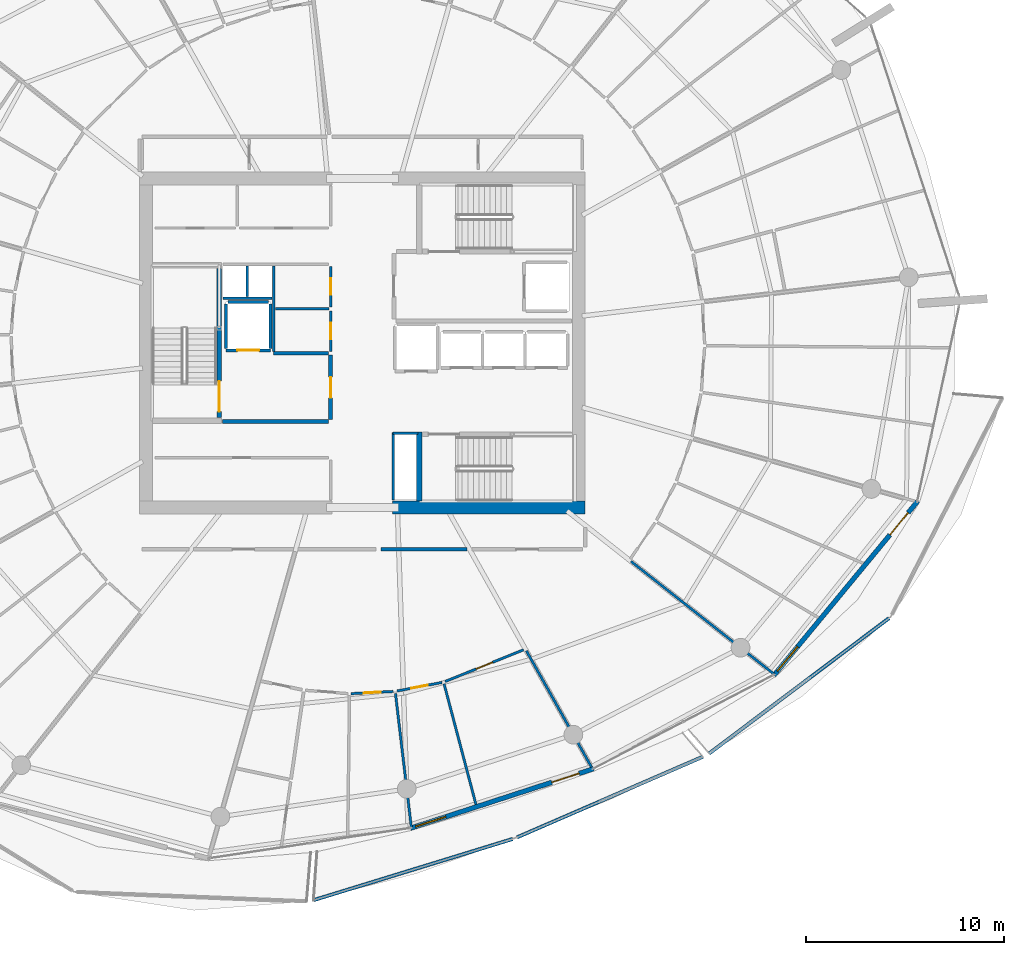
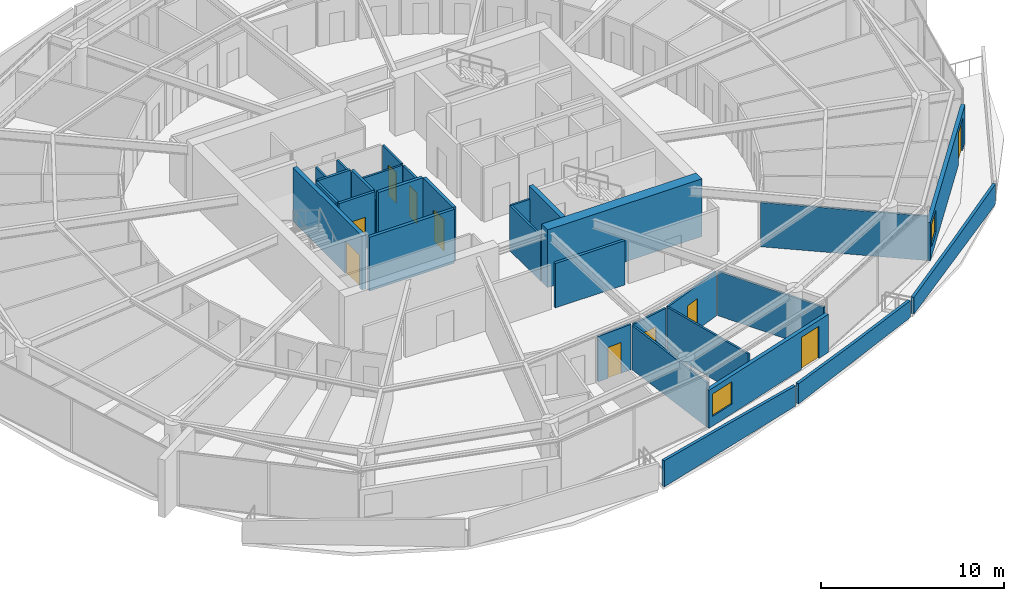
# One storey, part 20 of 31: 31 walls, 10 doors, 2 windows, 12 openings.
"""IFC4 building model written with IfcOpenShell, lengths in metres."""

from ifc_helpers import new_model, si_unit, direction, frame, frame_2d, origin, place, context, subcontext, project, spatial, polyline, rectangle, outline, extrude, material, layer, layer_set, type_object, element, fill, save


model = new_model("IFC4")

# Units and contexts
model_context = context("Model", 3, precision=1e-05, world=origin(), true_north=direction((0.0, 1.0)))
body_context = subcontext(model_context, "Body", "Model", "MODEL_VIEW")
ifc_project = project(units=[si_unit("LENGTHUNIT", "METRE"), si_unit("AREAUNIT", "SQUARE_METRE"), si_unit("VOLUMEUNIT", "CUBIC_METRE"), si_unit("PLANEANGLEUNIT", "RADIAN"), si_unit("MASSUNIT", "GRAM", prefix="KILO")], contexts=[model_context])

# Site, building, storey
site_placement = place(None, origin())
site = spatial("IfcSite", under=ifc_project, at=site_placement, CompositionType="ELEMENT")
building_placement = place(site_placement, origin())
building = spatial("IfcBuilding", under=site, at=building_placement, Name="Kazma Halo Residences", CompositionType="ELEMENT")
storey_placement = place(building_placement, frame((0.0, 0.0, 271.35009765625)))
storey = spatial("IfcBuildingStorey", under=building, at=storey_placement, Name="L68", CompositionType="ELEMENT", Elevation=271.35009765625)

# Walls
ifc_material_1 = material(Name="White Concrete C50/60 Balustrade", Category="concrete")
ifc_layer_1 = layer(ifc_material_1, 0.179931640625)
ifc_layer_set_1 = layer_set([ifc_layer_1], Name="White Concrete C50/60 Balustrade")
wall_type_1 = type_object("IfcWallType", Name="WL-BAL-WAVE-180", PredefinedType="PARAPET", material=ifc_layer_set_1)
wall_1_placement = place(storey_placement, frame((45.953369140625, 13.794189453125, 0.0), z_axis=(0.0, 0.0, 1.0), x_axis=(0.955884083791, 0.293744137565, 0.0)))
element("IfcWall", 1, at=wall_1_placement, inside=storey, type_object=wall_type_1, Name="L68 white wave balustrade wall SSE.1", PredefinedType="PARAPET", context=body_context, shape_type="SweptSolid", body=[
    extrude(outline(polyline([(0.0, 0.0), (10.543701171875, 0.0), (10.5439453125, 1.347900390625), (5.27197265625, 1.56201171875), (0.0, 1.746826171875), (0.0, 0.0)])), frame((0.0, 0.08984375, 0.0), z_axis=(0.0, -1.0, 0.0), x_axis=(1.0, 0.0, 0.0)), (0.0, 0.0, 1.0), 0.179931640625),
])
wall_2_placement = place(storey_placement, frame((56.2568359375, 16.974365234375, 0.0), z_axis=(0.0, 0.0, 1.0), x_axis=(0.917372888721, 0.398028872119, 0.0)))
element("IfcWall", 2, at=wall_2_placement, inside=storey, type_object=wall_type_1, Name="L68 white wave balustrade wall SSE.2", PredefinedType="PARAPET", context=body_context, shape_type="SweptSolid", body=[
    extrude(outline(polyline([(0.0, 0.0), (10.257568359375, 0.0), (10.25732421875, 1.119873046875), (5.128662109375, 1.181884765625), (0.0, 1.347900390625), (0.0, 0.0)])), frame((0.0, 0.08984375, 0.0), z_axis=(0.0, -1.0, 0.0), x_axis=(1.0, 0.0, 0.0)), (0.0, 0.0, 1.0), 0.179931640625),
])
wall_3_placement = place(storey_placement, frame((65.972412109375, 21.215576171875, 0.0), z_axis=(0.0, 0.0, 1.0), x_axis=(0.799146815098, 0.601135898046, 0.0)))
element("IfcWall", 3, at=wall_3_placement, inside=storey, type_object=wall_type_1, Name="L68 white wave balustrade wall SE.1", PredefinedType="PARAPET", context=body_context, shape_type="SweptSolid", body=[
    extrude(outline(polyline([(0.0, 0.0), (11.4111328125, 0.0), (11.4111328125, 1.347900390625), (5.70556640625, 1.181884765625), (0.0, 1.119873046875), (0.0, 0.0)])), frame((0.0, 0.08984375, 0.0), z_axis=(0.0, -1.0, 0.0), x_axis=(1.0, 0.0, 0.0)), (0.0, 0.0, 1.0), 0.179931640625),
])
ifc_material_2 = material(Name="Concrete C60/75", Category="concrete")
ifc_layer_2 = layer(ifc_material_2, 0.64990234375)
ifc_layer_set_2 = layer_set([ifc_layer_2], Name="Concrete C60/75")
wall_type_2 = type_object("IfcWallType", Name="WL-CORE-650", PredefinedType="SHEAR", material=ifc_layer_set_2)
wall_4_placement = place(storey_placement, frame((49.949951171875, 33.675048828125, 0.0), z_axis=(0.0, 0.0, 1.0), x_axis=(1.0, 0.0, 0.0)))
element("IfcWall", 4, at=wall_4_placement, inside=storey, type_object=wall_type_2, Name="L68 central core shear wall SE", PredefinedType="SHEAR", context=body_context, shape_type="SweptSolid", body=[
    extrude(rectangle(XDim=9.75, YDim=0.64990234375, at=frame_2d((4.875, 0.0))), origin(), (0.0, 0.0, 1.0), 3.849853515625),
])
ifc_layer_3 = layer(ifc_material_2, 0.280029296875)
ifc_layer_set_3 = layer_set([ifc_layer_3], Name="Concrete C60/75")
wall_type_3 = type_object("IfcWallType", Name="WL-CORE-ST-280", PredefinedType="SHEAR", material=ifc_layer_set_3)
wall_5_placement = place(storey_placement, frame((51.31005859375, 34.0, 0.0), z_axis=(0.0, 0.0, 1.0), x_axis=(0.0, 1.0, 0.0)))
element("IfcWall", 5, at=wall_5_placement, inside=storey, type_object=wall_type_3, Name="L68 stairwell bearing wall ST03-W", PredefinedType="SHEAR", context=body_context, shape_type="SweptSolid", body=[
    extrude(rectangle(XDim=3.5, YDim=0.280029296875, at=frame_2d((1.75, 0.0))), origin(), (0.0, 0.0, 1.0), 3.849853515625),
])
ifc_material_3 = material(Name="Acoustic Twin-Stud Gypsum")
ifc_layer_4 = layer(ifc_material_3, 0.179931640625)
ifc_layer_set_4 = layer_set([ifc_layer_4], Name="Acoustic Twin-Stud Gypsum")
wall_type_4 = type_object("IfcWallType", Name="WL-DEM-180", PredefinedType="PARTITIONING", material=ifc_layer_set_4)
wall_6_placement = place(storey_placement, frame((49.356689453125, 31.550048828125, 0.0), z_axis=(0.0, 0.0, 1.0), x_axis=(1.0, 0.0, 0.0)))
element("IfcWall", 6, at=wall_6_placement, inside=storey, type_object=wall_type_4, Name="L68 Apartment 2 inner wall 11", PredefinedType="PARTITIONING", context=body_context, shape_type="SweptSolid", body=[
    extrude(rectangle(XDim=4.375732421875, YDim=0.179931640625, at=frame_2d((2.18798828125, 0.0))), origin(), (0.0, 0.0, 1.0), 2.956787109375),
])

# Wall, openings, door, window
ifc_material_4 = material(Name="Insulated Pale-Metal Composite Wall")
ifc_layer_5 = layer(ifc_material_4, 0.239990234375)
ifc_layer_set_5 = layer_set([ifc_layer_5], Name="Insulated Pale-Metal Composite Wall")
wall_type_5 = type_object("IfcWallType", Name="WL-EXT-HOST-240", PredefinedType="SOLIDWALL", material=ifc_layer_set_5)
wall_7_placement = place(storey_placement, frame((50.85791015625, 17.436279296875, 0.0), z_axis=(0.0, 0.0, 1.0), x_axis=(0.951055974609, 0.309018661507, 0.0)))
wall_7 = element("IfcWall", 7, at=wall_7_placement, inside=storey, type_object=wall_type_5, Name="L68 exterior terrace-access wall B12", PredefinedType="SOLIDWALL", context=body_context, shape_type="SweptSolid", body=[
    extrude(rectangle(XDim=9.745361328125, YDim=0.239990234375, at=frame_2d((4.87255859375, 0.0))), origin(), (0.0, 0.0, 1.0), 2.539794921875),
])
opening_1_placement = place(wall_7_placement, frame((7.525390625, 0.0, 0.0)))
opening_1 = element("IfcOpeningElement", 8, at=opening_1_placement, cuts=wall_7, Name="Opening DTR-1600", PredefinedType="OPENING", context=body_context, shape_type="SweptSolid", body=[
    extrude(rectangle(XDim=1.449951171875, YDim=2.14990234375, at=frame_2d((0.72509765625, 1.074951171875))), frame((0.0, 0.1298828125, 0.0), z_axis=(0.0, -1.0, 0.0), x_axis=(1.0, 0.0, 0.0)), (0.0, 0.0, 1.0), 0.260009765625),
])
opening_2_placement = place(wall_7_placement, frame((0.280029296875, 0.0, 0.64990234375)))
opening_2 = element("IfcOpeningElement", 9, at=opening_2_placement, cuts=wall_7, Name="Opening W-1800", PredefinedType="OPENING", context=body_context, shape_type="SweptSolid", body=[
    extrude(rectangle(XDim=1.60009765625, YDim=1.5, at=frame_2d((0.800048828125, 0.75))), frame((0.0, 0.1298828125, 0.0), z_axis=(0.0, -1.0, 0.0), x_axis=(1.0, 0.0, 0.0)), (0.0, 0.0, 1.0), 0.260009765625),
])
ifc_material_5 = material(Name="Aluminium AW-6063 T6 Double-Glazed Terrace Door", Category="aluminium")
door_type_1 = type_object("IfcDoorType", Name="DR-EXT-TERR-1600", OperationType="NOTDEFINED", PredefinedType="DOOR", material=ifc_material_5)
door_1_placement = place(opening_1_placement, origin())
door_1 = element("IfcDoor", 10, at=door_1_placement, inside=storey, type_object=door_type_1, Name="L68 B12 balcony terrace door", OperationType="DOUBLE_DOOR_SLIDING", OverallHeight=2.14990234375, OverallWidth=1.449951171875, PredefinedType="DOOR", context=body_context, shape_type="SweptSolid", body=[
    extrude(rectangle(XDim=1.449951171875, YDim=2.14990234375, at=frame_2d((0.72509765625, 1.074951171875))), frame((0.0, 0.02490234375, 0.0), z_axis=(0.0, -1.0, 0.0), x_axis=(1.0, 0.0, 0.0)), (0.0, 0.0, 1.0), 0.050048828125),
])
fill(opening_1, door_1)
ifc_material_6 = material(Name="Clear Triple-Silver Low-E Glass in Aluminium AW-6063 T6 Frame", Category="aluminium")
window_type = type_object("IfcWindowType", Name="WIN-RES-1800", PartitioningType="DOUBLE_PANEL_VERTICAL", PredefinedType="WINDOW", material=ifc_material_6)
window_1_placement = place(opening_2_placement, origin())
window_1 = element("IfcWindow", 11, at=window_1_placement, inside=storey, type_object=window_type, Name="L68 B12 apartment window", OverallHeight=1.5, OverallWidth=1.60009765625, PartitioningType="SINGLE_PANEL", PredefinedType="WINDOW", context=body_context, shape_type="SweptSolid", body=[
    extrude(rectangle(XDim=1.60009765625, YDim=1.5, at=frame_2d((0.800048828125, 0.75))), frame((0.0, 0.030029296875, 0.0), z_axis=(0.0, -1.0, 0.0), x_axis=(1.0, 0.0, 0.0)), (0.0, 0.0, 1.0), 0.06005859375),
])
fill(opening_2, window_1)

wall_8_placement = place(storey_placement, frame((69.2578125, 25.177978515625, 0.0), z_axis=(0.0, 0.0, 1.0), x_axis=(0.636680093065, 0.771128043255, 0.0)))
wall_8 = element("IfcWall", 12, at=wall_8_placement, inside=storey, type_object=wall_type_5, Name="L68 exterior terrace-access wall B14", PredefinedType="SOLIDWALL", context=body_context, shape_type="SweptSolid", body=[
    extrude(rectangle(XDim=11.438232421875, YDim=0.239990234375, at=frame_2d((5.71923828125, 0.0))), origin(), (0.0, 0.0, 1.0), 2.539794921875),
])
opening_3_placement = place(wall_8_placement, frame((9.21826171875, 0.0, 0.0)))
opening_3 = element("IfcOpeningElement", 13, at=opening_3_placement, cuts=wall_8, Name="Opening DTR-1600", PredefinedType="OPENING", context=body_context, shape_type="SweptSolid", body=[
    extrude(rectangle(XDim=1.449951171875, YDim=2.14990234375, at=frame_2d((0.72509765625, 1.074951171875))), frame((0.0, 0.1298828125, 0.0), z_axis=(0.0, -1.0, 0.0), x_axis=(1.0, 0.0, 0.0)), (0.0, 0.0, 1.0), 0.260009765625),
])
opening_4_placement = place(wall_8_placement, frame((0.280029296875, 0.0, 0.64990234375)))
opening_4 = element("IfcOpeningElement", 14, at=opening_4_placement, cuts=wall_8, Name="Opening W-1800", PredefinedType="OPENING", context=body_context, shape_type="SweptSolid", body=[
    extrude(rectangle(XDim=1.60009765625, YDim=1.5, at=frame_2d((0.800048828125, 0.75))), frame((0.0, 0.1298828125, 0.0), z_axis=(0.0, -1.0, 0.0), x_axis=(1.0, 0.0, 0.0)), (0.0, 0.0, 1.0), 0.260009765625),
])
door_2_placement = place(opening_3_placement, origin())
door_2 = element("IfcDoor", 15, at=door_2_placement, inside=storey, type_object=door_type_1, Name="L68 B14 balcony terrace door", OperationType="DOUBLE_DOOR_SLIDING", OverallHeight=2.14990234375, OverallWidth=1.449951171875, PredefinedType="DOOR", context=body_context, shape_type="SweptSolid", body=[
    extrude(rectangle(XDim=1.449951171875, YDim=2.14990234375, at=frame_2d((0.72509765625, 1.074951171875))), frame((0.0, 0.02490234375, 0.0), z_axis=(0.0, -1.0, 0.0), x_axis=(1.0, 0.0, 0.0)), (0.0, 0.0, 1.0), 0.050048828125),
])
fill(opening_3, door_2)
window_2_placement = place(opening_4_placement, origin())
window_2 = element("IfcWindow", 16, at=window_2_placement, inside=storey, type_object=window_type, Name="L68 B14 apartment window", OverallHeight=1.5, OverallWidth=1.60009765625, PartitioningType="SINGLE_PANEL", PredefinedType="WINDOW", context=body_context, shape_type="SweptSolid", body=[
    extrude(rectangle(XDim=1.60009765625, YDim=1.5, at=frame_2d((0.800048828125, 0.75))), frame((0.0, 0.030029296875, 0.0), z_axis=(0.0, -1.0, 0.0), x_axis=(1.0, 0.0, 0.0)), (0.0, 0.0, 1.0), 0.06005859375),
])
fill(opening_4, window_2)

# Wall, opening, door
ifc_material_7 = material(Name="Fire-Rated Blockwork Masonry", Category="masonry")
ifc_layer_6 = layer(ifc_material_7, 0.199951171875)
ifc_layer_set_6 = layer_set([ifc_layer_6], Name="Fire-Rated Blockwork Masonry")
wall_type_6 = type_object("IfcWallType", Name="WL-FLB-200", PredefinedType="PARTITIONING", material=ifc_layer_set_6)
wall_9_placement = place(storey_placement, frame((43.780029296875, 41.6201171875, 0.0), z_axis=(0.0, 0.0, 1.0), x_axis=(-1.0, 0.0, 0.0)))
wall_9 = element("IfcWall", 17, at=wall_9_placement, inside=storey, type_object=wall_type_6, Name="L68 lift shaft FL-01 front wall", PredefinedType="PARTITIONING", context=body_context, shape_type="SweptSolid", body=[
    extrude(rectangle(XDim=2.260009765625, YDim=0.159912109375, at=frame_2d((1.1298828125, 0.0))), origin(), (0.0, 0.0, 1.0), 3.58984375),
])
opening_5_placement = place(wall_9_placement, frame((0.580078125, 0.0, 0.0)))
opening_5 = element("IfcOpeningElement", 18, at=opening_5_placement, cuts=wall_9, Name="Opening LD-FL-01", PredefinedType="OPENING", context=body_context, shape_type="SweptSolid", body=[
    extrude(rectangle(XDim=1.10009765625, YDim=2.10009765625, at=frame_2d((0.550048828125, 1.050048828125))), frame((0.0, 0.08984375, 0.0), z_axis=(0.0, -1.0, 0.0), x_axis=(1.0, 0.0, 0.0)), (0.0, 0.0, 1.0), 0.179931640625),
])
ifc_material_8 = material(Name="Stainless Steel Fire-Rated", Category="steel")
door_type_2 = type_object("IfcDoorType", Name="DR-LIFT-SLD-1100", OperationType="DOUBLE_DOOR_SLIDING", PredefinedType="DOOR", material=ifc_material_8)
door_3_placement = place(opening_5_placement, origin())
door_3 = element("IfcDoor", 19, at=door_3_placement, inside=storey, type_object=door_type_2, Name="L68 lift FL-01 sliding landing door", OperationType="DOUBLE_DOOR_SLIDING", OverallHeight=2.10009765625, OverallWidth=1.10009765625, PredefinedType="DOOR", context=body_context, shape_type="SweptSolid", body=[
    extrude(rectangle(XDim=1.10009765625, YDim=2.10009765625, at=frame_2d((0.550048828125, 1.050048828125))), frame((0.0, 0.02490234375, 0.0), z_axis=(0.0, -1.0, 0.0), x_axis=(1.0, 0.0, 0.0)), (0.0, 0.0, 1.0), 0.050048828125),
])
fill(opening_5, door_3)

# Walls
for number, where, z_axis, x_axis, name in (
    (20, (43.780029296875, 41.719970703125, 0.0), (0.0, 0.0, 1.0), (0.0, 1.0, 0.0), "L68 lift shaft FL-01 side wall E"),
    (21, (41.52001953125, 41.719970703125, 0.0), (0.0, 0.0, 1.0), (0.0, 1.0, 0.0), "L68 lift shaft FL-01 side wall W"),
):
    element("IfcWall", number, at=place(storey_placement, frame(where, z_axis=z_axis, x_axis=x_axis)), inside=storey, type_object=wall_type_6, Name=name, PredefinedType="PARTITIONING", context=body_context, shape_type="SweptSolid", body=[
        extrude(rectangle(XDim=2.260009765625, YDim=0.159912109375, at=frame_2d((1.1298828125, 0.0))), origin(), (0.0, 0.0, 1.0), 3.58984375),
    ])
wall_10_placement = place(storey_placement, frame((41.6201171875, 44.080078125, 0.0), z_axis=(0.0, 0.0, 1.0), x_axis=(1.0, 0.0, 0.0)))
element("IfcWall", 22, at=wall_10_placement, inside=storey, type_object=wall_type_6, Name="L68 lift shaft FL-01 side wall N", PredefinedType="PARTITIONING", context=body_context, shape_type="SweptSolid", body=[
    extrude(rectangle(XDim=2.059814453125, YDim=0.159912109375, at=frame_2d((1.02978515625, 0.0))), origin(), (0.0, 0.0, 1.0), 3.58984375),
])
wall_11_placement = place(storey_placement, frame((41.35009765625, 38.02001953125, 0.0), z_axis=(0.0, 0.0, 1.0), x_axis=(1.0, 0.0, 0.0)))
element("IfcWall", 23, at=wall_11_placement, inside=storey, type_object=wall_type_6, Name="L68 west firefighting lobby south smoke wall", PredefinedType="PARTITIONING", context=body_context, shape_type="SweptSolid", body=[
    extrude(rectangle(XDim=5.369873046875, YDim=0.199951171875, at=frame_2d((2.68505859375, 0.0))), origin(), (0.0, 0.0, 1.0), 3.58984375),
])
wall_12_placement = place(storey_placement, frame((43.919921875, 41.47998046875, 0.0), z_axis=(0.0, 0.0, 1.0), x_axis=(1.0, 0.0, 0.0)))
element("IfcWall", 24, at=wall_12_placement, inside=storey, type_object=wall_type_6, Name="L68 west firefighting lobby north smoke wall", PredefinedType="PARTITIONING", context=body_context, shape_type="SweptSolid", body=[
    extrude(rectangle(XDim=2.800048828125, YDim=0.199951171875, at=frame_2d((1.39990234375, 0.0))), origin(), (0.0, 0.0, 1.0), 3.58984375),
])

# Wall, opening, door
wall_13_placement = place(storey_placement, frame((46.820068359375, 38.1201171875, 0.0), z_axis=(0.0, 0.0, 1.0), x_axis=(0.0, 1.0, 0.0)))
wall_13 = element("IfcWall", 25, at=wall_13_placement, inside=storey, type_object=wall_type_6, Name="L68 west firefighting lobby smoke wall", PredefinedType="PARTITIONING", context=body_context, shape_type="SweptSolid", body=[
    extrude(rectangle(XDim=3.259765625, YDim=0.199951171875, at=frame_2d((1.6298828125, 0.0))), origin(), (0.0, 0.0, 1.0), 3.58984375),
])
opening_6_placement = place(wall_13_placement, frame((1.10498046875, 0.0, 0.0)))
opening_6 = element("IfcOpeningElement", 26, at=opening_6_placement, cuts=wall_13, Name="Opening D-FLW", PredefinedType="OPENING", context=body_context, shape_type="SweptSolid", body=[
    extrude(rectangle(XDim=1.050048828125, YDim=2.10009765625, at=frame_2d((0.52490234375, 1.050048828125))), frame((0.0, 0.10986328125, 0.0), z_axis=(0.0, -1.0, 0.0), x_axis=(1.0, 0.0, 0.0)), (0.0, 0.0, 1.0), 0.219970703125),
])
ifc_material_9 = material(Name="Fire-Rated Steel Leaf", Category="steel")
door_type_3 = type_object("IfcDoorType", Name="DR-FD90-1050", OperationType="NOTDEFINED", PredefinedType="DOOR", material=ifc_material_9)
door_4_placement = place(opening_6_placement, origin())
door_4 = element("IfcDoor", 27, at=door_4_placement, inside=storey, type_object=door_type_3, Name="L68 west firefighting lobby smoke door", OperationType="SINGLE_SWING_LEFT", OverallHeight=2.10009765625, OverallWidth=1.050048828125, PredefinedType="DOOR", context=body_context, shape_type="SweptSolid", body=[
    extrude(rectangle(XDim=1.050048828125, YDim=2.10009765625, at=frame_2d((0.52490234375, 1.050048828125))), frame((0.0, 0.02490234375, 0.0), z_axis=(0.0, -1.0, 0.0), x_axis=(1.0, 0.0, 0.0)), (0.0, 0.0, 1.0), 0.050048828125),
])
fill(opening_6, door_4)

# Walls
ifc_material_10 = material(Name="Gypsum Plasterboard Partition")
ifc_layer_7 = layer(ifc_material_10, 0.125)
ifc_layer_set_7 = layer_set([ifc_layer_7], Name="Gypsum Plasterboard Partition")
wall_type_7 = type_object("IfcWallType", Name="WL-PART-125", PredefinedType="PARTITIONING", material=ifc_layer_set_7)
wall_14_placement = place(storey_placement, frame((41.360107421875, 44.260009765625, 0.0), z_axis=(0.0, 0.0, 1.0), x_axis=(1.0, 0.0, 0.0)))
element("IfcWall", 28, at=wall_14_placement, inside=storey, type_object=wall_type_7, Name="L68 core riser south wall", PredefinedType="PARTITIONING", context=body_context, shape_type="SweptSolid", body=[
    extrude(rectangle(XDim=2.5, YDim=0.125, at=frame_2d((1.25, 0.0))), origin(), (0.0, 0.0, 1.0), 3.02978515625),
])
wall_15_placement = place(storey_placement, frame((42.60009765625, 44.35009765625, 0.0), z_axis=(0.0, 0.0, 1.0), x_axis=(0.0, 1.0, 0.0)))
element("IfcWall", 29, at=wall_15_placement, inside=storey, type_object=wall_type_7, Name="L68 core riser divider wall", PredefinedType="PARTITIONING", context=body_context, shape_type="SweptSolid", body=[
    extrude(rectangle(XDim=1.5498046875, YDim=0.125, at=frame_2d((0.77490234375, 0.0))), origin(), (0.0, 0.0, 1.0), 3.02978515625),
])
wall_16_placement = place(storey_placement, frame((49.97998046875, 34.06005859375, 0.0), z_axis=(0.0, 0.0, 1.0), x_axis=(0.0, 1.0, 0.0)))
element("IfcWall", 30, at=wall_16_placement, inside=storey, type_object=wall_type_7, Name="L68 standpipe riser wall", PredefinedType="PARTITIONING", context=body_context, shape_type="SweptSolid", body=[
    extrude(rectangle(XDim=3.39990234375, YDim=0.125, at=frame_2d((1.699951171875, 0.0))), origin(), (0.0, 0.0, 1.0), 3.02978515625),
])
wall_17_placement = place(storey_placement, frame((49.97998046875, 37.43994140625, 0.0), z_axis=(0.0, 0.0, 1.0), x_axis=(1.0, 0.0, 0.0)))
element("IfcWall", 31, at=wall_17_placement, inside=storey, type_object=wall_type_7, Name="L68 standpipe riser north wall", PredefinedType="PARTITIONING", context=body_context, shape_type="SweptSolid", body=[
    extrude(rectangle(XDim=1.260009765625, YDim=0.125, at=frame_2d((0.6298828125, 0.0))), origin(), (0.0, 0.0, 1.0), 3.02978515625),
])
wall_18_placement = place(storey_placement, frame((43.949951171875, 41.580078125, 0.0), z_axis=(0.0, 0.0, 1.0), x_axis=(0.0, 1.0, 0.0)))
element("IfcWall", 32, at=wall_18_placement, inside=storey, type_object=wall_type_7, Name="L68 core service west wall", PredefinedType="PARTITIONING", context=body_context, shape_type="SweptSolid", body=[
    extrude(rectangle(XDim=4.31982421875, YDim=0.125, at=frame_2d((2.159912109375, 0.0))), origin(), (0.0, 0.0, 1.0), 3.02978515625),
])
wall_19_placement = place(storey_placement, frame((44.030029296875, 43.72998046875, 0.0), z_axis=(0.0, 0.0, 1.0), x_axis=(1.0, 0.0, 0.0)))
element("IfcWall", 33, at=wall_19_placement, inside=storey, type_object=wall_type_7, Name="L68 switch/IDF divider", PredefinedType="PARTITIONING", context=body_context, shape_type="SweptSolid", body=[
    extrude(rectangle(XDim=2.7099609375, YDim=0.125, at=frame_2d((1.35498046875, 0.0))), origin(), (0.0, 0.0, 1.0), 3.02978515625),
])

# Wall, opening, door
wall_20_placement = place(storey_placement, frame((46.820068359375, 41.580078125, 0.0), z_axis=(0.0, 0.0, 1.0), x_axis=(0.0, 1.0, 0.0)))
wall_20 = element("IfcWall", 34, at=wall_20_placement, inside=storey, type_object=wall_type_7, Name="L68 electrical switch room east wall", PredefinedType="PARTITIONING", context=body_context, shape_type="SweptSolid", body=[
    extrude(rectangle(XDim=2.0498046875, YDim=0.125, at=frame_2d((1.02490234375, 0.0))), origin(), (0.0, 0.0, 1.0), 3.02978515625),
])
opening_7_placement = place(wall_20_placement, frame((0.60009765625, 0.0, 0.0)))
opening_7 = element("IfcOpeningElement", 35, at=opening_7_placement, cuts=wall_20, Name="Opening DS-850", PredefinedType="OPENING", context=body_context, shape_type="SweptSolid", body=[
    extrude(rectangle(XDim=0.85009765625, YDim=2.06005859375, at=frame_2d((0.425048828125, 1.030029296875))), frame((0.0, 0.072509765625, 0.0), z_axis=(0.0, -1.0, 0.0), x_axis=(1.0, 0.0, 0.0)), (0.0, 0.0, 1.0), 0.14501953125),
])
ifc_material_11 = material(Name="Painted Steel Access Leaf", Category="steel")
door_type_4 = type_object("IfcDoorType", Name="DR-SVC-850", OperationType="NOTDEFINED", PredefinedType="DOOR", material=ifc_material_11)
door_5_placement = place(opening_7_placement, origin())
door_5 = element("IfcDoor", 36, at=door_5_placement, inside=storey, type_object=door_type_4, Name="L68 electrical switch room door", OperationType="SINGLE_SWING_LEFT", OverallHeight=2.06005859375, OverallWidth=0.85009765625, PredefinedType="DOOR", context=body_context, shape_type="SweptSolid", body=[
    extrude(rectangle(XDim=0.85009765625, YDim=2.06005859375, at=frame_2d((0.425048828125, 1.030029296875))), frame((0.0, 0.02490234375, 0.0), z_axis=(0.0, -1.0, 0.0), x_axis=(1.0, 0.0, 0.0)), (0.0, 0.0, 1.0), 0.050048828125),
])
fill(opening_7, door_5)

wall_21_placement = place(storey_placement, frame((46.820068359375, 43.830078125, 0.0), z_axis=(0.0, 0.0, 1.0), x_axis=(0.0, 1.0, 0.0)))
wall_21 = element("IfcWall", 37, at=wall_21_placement, inside=storey, type_object=wall_type_7, Name="L68 telecom IDF room east wall", PredefinedType="PARTITIONING", context=body_context, shape_type="SweptSolid", body=[
    extrude(rectangle(XDim=2.0498046875, YDim=0.125, at=frame_2d((1.02490234375, 0.0))), origin(), (0.0, 0.0, 1.0), 3.02978515625),
])
opening_8_placement = place(wall_21_placement, frame((0.60009765625, 0.0, 0.0)))
opening_8 = element("IfcOpeningElement", 38, at=opening_8_placement, cuts=wall_21, Name="Opening DS-850", PredefinedType="OPENING", context=body_context, shape_type="SweptSolid", body=[
    extrude(rectangle(XDim=0.85009765625, YDim=2.06005859375, at=frame_2d((0.425048828125, 1.030029296875))), frame((0.0, 0.072509765625, 0.0), z_axis=(0.0, -1.0, 0.0), x_axis=(1.0, 0.0, 0.0)), (0.0, 0.0, 1.0), 0.14501953125),
])
door_6_placement = place(opening_8_placement, origin())
door_6 = element("IfcDoor", 39, at=door_6_placement, inside=storey, type_object=door_type_4, Name="L68 telecom IDF room door", OperationType="SINGLE_SWING_RIGHT", OverallHeight=2.06005859375, OverallWidth=0.85009765625, PredefinedType="DOOR", context=body_context, shape_type="SweptSolid", body=[
    extrude(rectangle(XDim=0.85009765625, YDim=2.06005859375, at=frame_2d((0.425048828125, 1.030029296875))), frame((0.0, 0.02490234375, 0.0), z_axis=(0.0, -1.0, 0.0), x_axis=(1.0, 0.0, 0.0)), (0.0, 0.0, 1.0), 0.050048828125),
])
fill(opening_8, door_6)

wall_22_placement = place(storey_placement, frame((47.853271484375, 24.24853515625, 0.0), z_axis=(0.0, 0.0, 1.0), x_axis=(0.998618144909, 0.052552836822, 0.0)))
wall_22 = element("IfcWall", 40, at=wall_22_placement, inside=storey, type_object=wall_type_7, Name="L68 Apartment 2 Primary Bedroom hall wall", PredefinedType="PARTITIONING", context=body_context, shape_type="SweptSolid", body=[
    extrude(rectangle(XDim=2.136962890625, YDim=0.125, at=frame_2d((1.068359375, 0.0))), origin(), (0.0, 0.0, 1.0), 3.02978515625),
])
opening_9_placement = place(wall_22_placement, frame((0.643310546875, 0.0, 0.0)))
opening_9 = element("IfcOpeningElement", 41, at=opening_9_placement, cuts=wall_22, Name="Opening DB-900", PredefinedType="OPENING", context=body_context, shape_type="SweptSolid", body=[
    extrude(rectangle(XDim=0.85009765625, YDim=2.06005859375, at=frame_2d((0.425048828125, 1.030029296875))), frame((0.0, 0.072509765625, 0.0), z_axis=(0.0, -1.0, 0.0), x_axis=(1.0, 0.0, 0.0)), (0.0, 0.0, 1.0), 0.14501953125),
])
ifc_material_12 = material(Name="Moisture-Sealed Timber Leaf", Category="wood")
door_type_5 = type_object("IfcDoorType", Name="DR-BTH-900", OperationType="NOTDEFINED", PredefinedType="DOOR", material=ifc_material_12)
door_7_placement = place(opening_9_placement, origin())
door_7 = element("IfcDoor", 42, at=door_7_placement, inside=storey, type_object=door_type_5, Name="L68 Apartment 2 Primary Bedroom door", OperationType="SINGLE_SWING_RIGHT", OverallHeight=2.06005859375, OverallWidth=0.85009765625, PredefinedType="DOOR", context=body_context, shape_type="SweptSolid", body=[
    extrude(rectangle(XDim=0.85009765625, YDim=2.06005859375, at=frame_2d((0.425048828125, 1.030029296875))), frame((0.0, 0.02490234375, 0.0), z_axis=(0.0, -1.0, 0.0), x_axis=(1.0, 0.0, 0.0)), (0.0, 0.0, 1.0), 0.050048828125),
])
fill(opening_9, door_7)

# Walls
wall_23_placement = place(storey_placement, frame((50.098876953125, 24.266845703125, 0.0), z_axis=(0.0, 0.0, 1.0), x_axis=(0.117541429875, -0.993067979679, 0.0)))
element("IfcWall", 43, at=wall_23_placement, inside=storey, type_object=wall_type_7, Name="L68 Apartment 2 radial partition 11", PredefinedType="PARTITIONING", context=body_context, shape_type="SweptSolid", body=[
    extrude(rectangle(XDim=6.837646484375, YDim=0.125, at=frame_2d((3.4189453125, 0.0))), origin(), (0.0, 0.0, 1.0), 2.956787109375),
])
wall_24_placement = place(storey_placement, frame((56.725341796875, 26.419921875, 0.0), z_axis=(0.0, 0.0, 1.0), x_axis=(0.488624332812, -0.872494275846, 0.0)))
element("IfcWall", 44, at=wall_24_placement, inside=storey, type_object=wall_type_7, Name="L68 Apartment 2 living radial partition 11", PredefinedType="PARTITIONING", context=body_context, shape_type="SweptSolid", body=[
    extrude(rectangle(XDim=6.73779296875, YDim=0.125, at=frame_2d((3.368896484375, 0.0))), origin(), (0.0, 0.0, 1.0), 2.956787109375),
])
wall_25_placement = place(storey_placement, frame((52.560302734375, 24.74560546875, 0.0), z_axis=(0.0, 0.0, 1.0), x_axis=(0.255531000294, -0.966800862582, 0.0)))
element("IfcWall", 45, at=wall_25_placement, inside=storey, type_object=wall_type_7, Name="L68 Apartment 2 mid-bay wall 11", PredefinedType="PARTITIONING", context=body_context, shape_type="SweptSolid", body=[
    extrude(rectangle(XDim=6.310546875, YDim=0.125, at=frame_2d((3.1552734375, 0.0))), origin(), (0.0, 0.0, 1.0), 3.02978515625),
])

# Wall, opening, door
wall_26_placement = place(storey_placement, frame((50.185302734375, 24.384765625, 0.0), z_axis=(0.0, 0.0, 1.0), x_axis=(0.982371792313, 0.186937587627, 0.0)))
wall_26 = element("IfcWall", 46, at=wall_26_placement, inside=storey, type_object=wall_type_7, Name="L68 Apartment 2 East Bedroom hall wall", PredefinedType="PARTITIONING", context=body_context, shape_type="SweptSolid", body=[
    extrude(rectangle(XDim=2.314208984375, YDim=0.125, at=frame_2d((1.1572265625, 0.0))), origin(), (0.0, 0.0, 1.0), 2.956787109375),
])
opening_10_placement = place(wall_26_placement, frame((0.732177734375, 0.0, 0.0)))
opening_10 = element("IfcOpeningElement", 47, at=opening_10_placement, cuts=wall_26, Name="Opening DB-900", PredefinedType="OPENING", context=body_context, shape_type="SweptSolid", body=[
    extrude(rectangle(XDim=0.85009765625, YDim=2.06005859375, at=frame_2d((0.425048828125, 1.030029296875))), frame((0.0, 0.072509765625, 0.0), z_axis=(0.0, -1.0, 0.0), x_axis=(1.0, 0.0, 0.0)), (0.0, 0.0, 1.0), 0.14501953125),
])
door_8_placement = place(opening_10_placement, origin())
door_8 = element("IfcDoor", 48, at=door_8_placement, inside=storey, type_object=door_type_5, Name="L68 Apartment 2 East Bedroom door", OperationType="SINGLE_SWING_RIGHT", OverallHeight=2.06005859375, OverallWidth=0.85009765625, PredefinedType="DOOR", context=body_context, shape_type="SweptSolid", body=[
    extrude(rectangle(XDim=0.85009765625, YDim=2.06005859375, at=frame_2d((0.425048828125, 1.030029296875))), frame((0.0, 0.02490234375, 0.0), z_axis=(0.0, -1.0, 0.0), x_axis=(1.0, 0.0, 0.0)), (0.0, 0.0, 1.0), 0.050048828125),
])
fill(opening_10, door_8)

wall_27_placement = place(storey_placement, frame((52.611572265625, 24.862548828125, 0.0), z_axis=(0.0, 0.0, 1.0), x_axis=(0.927015680649, 0.375022569762, 0.0)))
wall_27 = element("IfcWall", 49, at=wall_27_placement, inside=storey, type_object=wall_type_7, Name="L68 Apartment 2 West Bedroom hall wall", PredefinedType="PARTITIONING", context=body_context, shape_type="SweptSolid", body=[
    extrude(rectangle(XDim=4.284912109375, YDim=0.125, at=frame_2d((2.142578125, 0.0))), origin(), (0.0, 0.0, 1.0), 2.956787109375),
])
opening_11_placement = place(wall_27_placement, frame((1.6923828125, 0.0, 0.0)))
opening_11 = element("IfcOpeningElement", 50, at=opening_11_placement, cuts=wall_27, Name="Opening DI-950", PredefinedType="OPENING", context=body_context, shape_type="SweptSolid", body=[
    extrude(rectangle(XDim=0.89990234375, YDim=2.080078125, at=frame_2d((0.449951171875, 1.0400390625))), frame((0.0, 0.072509765625, 0.0), z_axis=(0.0, -1.0, 0.0), x_axis=(1.0, 0.0, 0.0)), (0.0, 0.0, 1.0), 0.14501953125),
])
ifc_material_13 = material(Name="Timber Veneer Flush Leaf", Category="wood")
door_type_6 = type_object("IfcDoorType", Name="DR-INT-950", OperationType="NOTDEFINED", PredefinedType="DOOR", material=ifc_material_13)
door_9_placement = place(opening_11_placement, origin())
door_9 = element("IfcDoor", 51, at=door_9_placement, inside=storey, type_object=door_type_6, Name="L68 Apartment 2 West Bedroom door", OperationType="SINGLE_SWING_LEFT", OverallHeight=2.080078125, OverallWidth=0.89990234375, PredefinedType="DOOR", context=body_context, shape_type="SweptSolid", body=[
    extrude(rectangle(XDim=0.89990234375, YDim=2.080078125, at=frame_2d((0.449951171875, 1.0400390625))), frame((0.0, 0.02490234375, 0.0), z_axis=(0.0, -1.0, 0.0), x_axis=(1.0, 0.0, 0.0)), (0.0, 0.0, 1.0), 0.050048828125),
])
fill(opening_11, door_9)

# Wall
wall_28_placement = place(storey_placement, frame((62.0234375, 30.94482421875, 0.0), z_axis=(0.0, 0.0, 1.0), x_axis=(0.785322102606, -0.619087388952, 0.0)))
element("IfcWall", 52, at=wall_28_placement, inside=storey, type_object=wall_type_7, Name="L68 Apartment 2 radial partition 13", PredefinedType="PARTITIONING", context=body_context, shape_type="SweptSolid", body=[
    extrude(rectangle(XDim=9.2275390625, YDim=0.125, at=frame_2d((4.61376953125, 0.0))), origin(), (0.0, 0.0, 1.0), 2.956787109375),
])

# Wall, opening, door
ifc_material_14 = material(Name="Concrete C50/60", Category="concrete")
ifc_layer_8 = layer(ifc_material_14, 0.25)
ifc_layer_set_8 = layer_set([ifc_layer_8], Name="Concrete C50/60")
wall_type_8 = type_object("IfcWallType", Name="WL-SHF-250", PredefinedType="SOLIDWALL", material=ifc_layer_set_8)
wall_29_placement = place(storey_placement, frame((41.179931640625, 38.219970703125, 0.0), z_axis=(0.0, 0.0, 1.0), x_axis=(0.0, 1.0, 0.0)))
wall_29 = element("IfcWall", 53, at=wall_29_placement, inside=storey, type_object=wall_type_8, Name="L68 exit stair ST-01 enclosure wall", PredefinedType="SOLIDWALL", context=body_context, shape_type="SweptSolid", body=[
    extrude(rectangle(XDim=7.56005859375, YDim=0.25, at=frame_2d((3.780029296875, 0.0))), origin(), (0.0, 0.0, 1.0), 3.58984375),
])
opening_12_placement = place(wall_29_placement, frame((0.300048828125, 0.0, 0.0)))
opening_12 = element("IfcOpeningElement", 54, at=opening_12_placement, cuts=wall_29, Name="Opening D-ST1", PredefinedType="OPENING", context=body_context, shape_type="SweptSolid", body=[
    extrude(rectangle(XDim=1.550048828125, YDim=2.14990234375, at=frame_2d((0.77490234375, 1.074951171875))), frame((0.0, 0.135009765625, 0.0), z_axis=(0.0, -1.0, 0.0), x_axis=(1.0, 0.0, 0.0)), (0.0, 0.0, 1.0), 0.27001953125),
])
ifc_material_15 = material(Name="Fire-Rated Double Steel Leaf", Category="steel")
door_type_7 = type_object("IfcDoorType", Name="DR-FD90-1550", OperationType="NOTDEFINED", PredefinedType="DOOR", material=ifc_material_15)
door_10_placement = place(opening_12_placement, origin())
door_10 = element("IfcDoor", 55, at=door_10_placement, inside=storey, type_object=door_type_7, Name="L68 exit stair ST-01 fire door", OperationType="DOUBLE_DOOR_SINGLE_SWING", OverallHeight=2.14990234375, OverallWidth=1.550048828125, PredefinedType="DOOR", context=body_context, shape_type="SweptSolid", body=[
    extrude(rectangle(XDim=1.550048828125, YDim=2.14990234375, at=frame_2d((0.77490234375, 1.074951171875))), frame((0.0, 0.02490234375, 0.0), z_axis=(0.0, -1.0, 0.0), x_axis=(1.0, 0.0, 0.0)), (0.0, 0.0, 1.0), 0.050048828125),
])
fill(opening_12, door_10)

save(model, "model.ifc")
